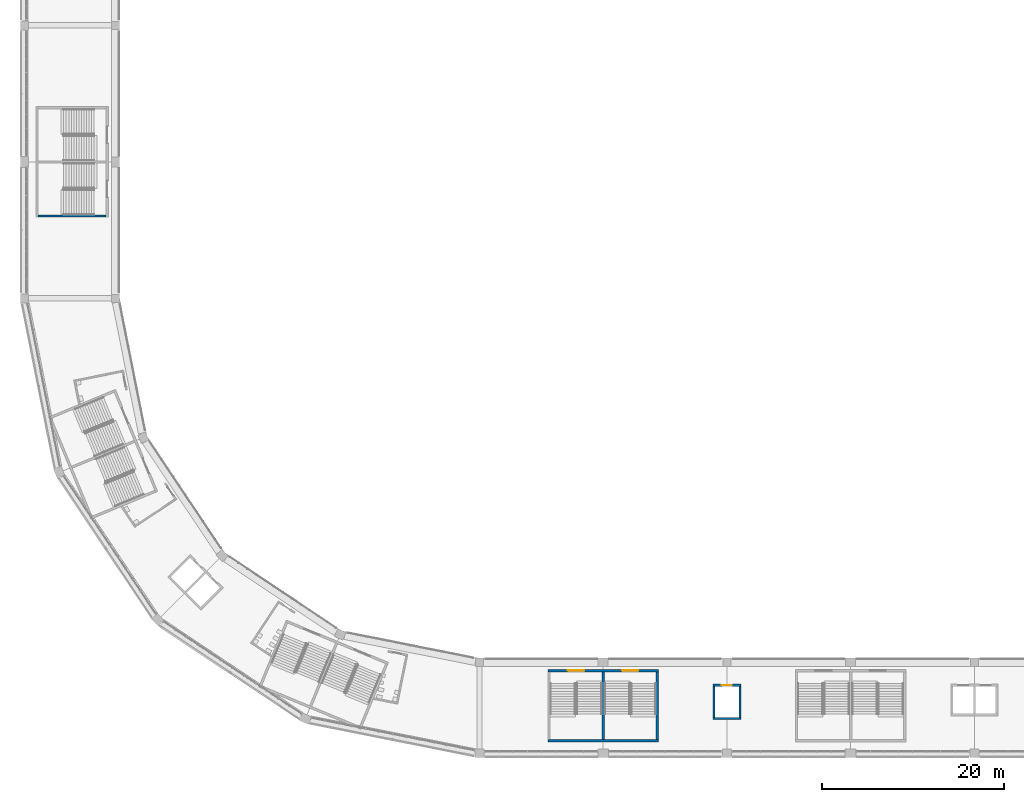
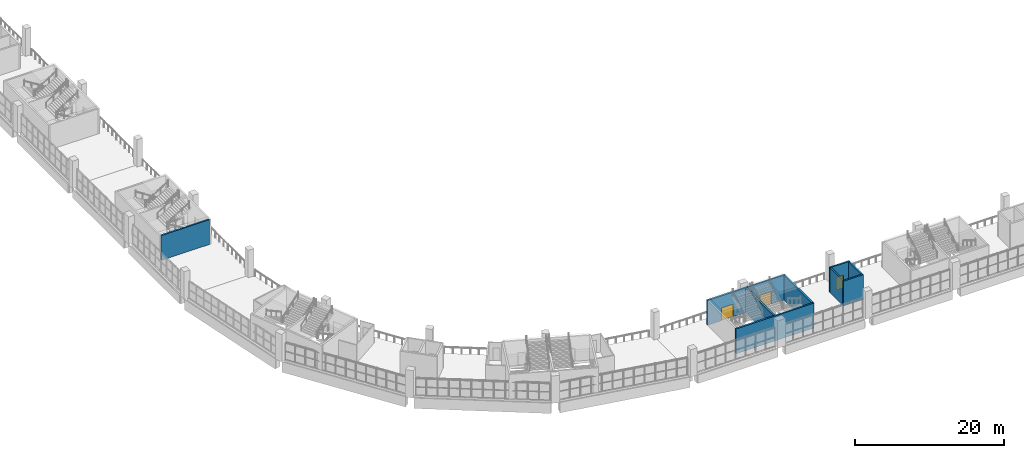
# One storey, part 61 of 177: 9 walls, 3 doors, 3 openings.
"""IFC4 building model written with IfcOpenShell, lengths in metres."""

from ifc_helpers import new_model, si_unit, direction, frame, frame_2d, origin, place, context, subcontext, project, spatial, rectangle, extrude, material, layer, layer_set, type_object, element, fill, save


model = new_model("IFC4")

# Units and contexts
model_context = context("Model", 3, precision=1e-05, world=origin(), true_north=direction((0.0, 1.0)))
body_context = subcontext(model_context, "Body", "Model", "MODEL_VIEW")
ifc_project = project(units=[si_unit("LENGTHUNIT", "METRE"), si_unit("AREAUNIT", "SQUARE_METRE"), si_unit("VOLUMEUNIT", "CUBIC_METRE"), si_unit("PLANEANGLEUNIT", "RADIAN"), si_unit("MASSUNIT", "GRAM", prefix="KILO")], contexts=[model_context])

# Site, building, storey
site_placement = place(None, origin())
site = spatial("IfcSite", under=ifc_project, at=site_placement, CompositionType="ELEMENT")
building_placement = place(site_placement, origin())
building = spatial("IfcBuilding", under=site, at=building_placement, Name="Ogive Plaza Stadium", CompositionType="ELEMENT")
storey_placement = place(building_placement, frame((0.0, 0.0, 18.0)))
storey = spatial("IfcBuildingStorey", under=building, at=storey_placement, Name="L04", CompositionType="ELEMENT", Elevation=18.0)

# Wall, openings, doors
ifc_material_1 = material(Name="Concrete C40/50", Category="concrete")
ifc_layer = layer(ifc_material_1, 0.25)
ifc_layer_set = layer_set([ifc_layer], Name="Concrete C40/50")
wall_type = type_object("IfcWallType", Name="Core wall 250", PredefinedType="SHEAR", material=ifc_layer_set)
wall_1_placement = place(storey_placement, frame((-26.47509765625, -93.425048828125, 0.0), z_axis=(0.0, 0.0, 1.0), x_axis=(1.0, 0.0, 0.0)))
wall_1 = element("IfcWall", 1, at=wall_1_placement, inside=storey, type_object=wall_type, Name="Stair core R16 inner wall", PredefinedType="SHEAR", context=body_context, shape_type="SweptSolid", body=[
    extrude(rectangle(XDim=12.150146484375, YDim=0.25, at=frame_2d((6.0751953125, 0.0))), origin(), (0.0, 0.0, 1.0), 4.090087890625),
])
opening_1_placement = place(wall_1_placement, frame((2.199951171875, 0.0, 0.0)))
opening_1 = element("IfcOpeningElement", 2, at=opening_1_placement, cuts=wall_1, Name="Opening D0141", PredefinedType="OPENING", context=body_context, shape_type="SweptSolid", body=[
    extrude(rectangle(XDim=1.800048828125, YDim=2.10009765625, at=frame_2d((0.89990234375, 1.050048828125))), frame((0.0, 0.125, 0.0), z_axis=(0.0, -1.0, 0.0), x_axis=(1.0, 0.0, 0.0)), (0.0, 0.0, 1.0), 0.25),
])
opening_2_placement = place(wall_1_placement, frame((8.14990234375, 0.0, 0.0)))
opening_2 = element("IfcOpeningElement", 3, at=opening_2_placement, cuts=wall_1, Name="Opening D0142", PredefinedType="OPENING", context=body_context, shape_type="SweptSolid", body=[
    extrude(rectangle(XDim=1.800048828125, YDim=2.10009765625, at=frame_2d((0.89990234375, 1.050048828125))), frame((0.0, 0.125, 0.0), z_axis=(0.0, -1.0, 0.0), x_axis=(1.0, 0.0, 0.0)), (0.0, 0.0, 1.0), 0.25),
])
ifc_material_2 = material(Name="Steel ASTM A572 Grade 50", Category="steel")
door_type_1 = type_object("IfcDoorType", Name="Fire door FD90 pair 1800 x 2100", OperationType="DOUBLE_DOOR_SINGLE_SWING", PredefinedType="DOOR", material=ifc_material_2)
door_1_placement = place(opening_1_placement, origin())
door_1 = element("IfcDoor", 4, at=door_1_placement, inside=storey, type_object=door_type_1, Name="Exit stair R16A door L04", OperationType="DOUBLE_DOOR_SINGLE_SWING", OverallHeight=2.10009765625, OverallWidth=1.800048828125, PredefinedType="DOOR", context=body_context, shape_type="SweptSolid", body=[
    extrude(rectangle(XDim=1.800048828125, YDim=2.10009765625, at=frame_2d((0.89990234375, 1.050048828125))), frame((0.0, 0.02490234375, 0.0), z_axis=(0.0, -1.0, 0.0), x_axis=(1.0, 0.0, 0.0)), (0.0, 0.0, 1.0), 0.050048828125),
])
fill(opening_1, door_1)
door_2_placement = place(opening_2_placement, origin())
door_2 = element("IfcDoor", 5, at=door_2_placement, inside=storey, type_object=door_type_1, Name="Exit stair R16B door L04", OperationType="DOUBLE_DOOR_SINGLE_SWING", OverallHeight=2.10009765625, OverallWidth=1.800048828125, PredefinedType="DOOR", context=body_context, shape_type="SweptSolid", body=[
    extrude(rectangle(XDim=1.800048828125, YDim=2.10009765625, at=frame_2d((0.89990234375, 1.050048828125))), frame((0.0, 0.02490234375, 0.0), z_axis=(0.0, -1.0, 0.0), x_axis=(1.0, 0.0, 0.0)), (0.0, 0.0, 1.0), 0.050048828125),
])
fill(opening_2, door_2)

# Walls
wall_2_placement = place(storey_placement, frame((-26.47509765625, -101.135009765625, 0.0), z_axis=(0.0, 0.0, 1.0), x_axis=(1.0, 0.0, 0.0)))
element("IfcWall", 6, at=wall_2_placement, inside=storey, type_object=wall_type, Name="Stair core R16 outer wall", PredefinedType="SHEAR", context=body_context, shape_type="SweptSolid", body=[
    extrude(rectangle(XDim=12.150146484375, YDim=0.25, at=frame_2d((6.0751953125, 0.0))), origin(), (0.0, 0.0, 1.0), 4.090087890625),
])
for number, where, z_axis, x_axis, name in (
    (7, (-14.449951171875, -93.550048828125, 0.0), (0.0, 0.0, 1.0), (0.0, -1.0, 0.0), "Stair core R16 side wall"),
    (8, (-20.39990234375, -93.550048828125, 0.0), (0.0, 0.0, 1.0), (0.0, -1.0, 0.0), "Stair core R16 centre wall"),
    (9, (-75.050048828125, -43.449951171875, 0.0), (0.0, 0.0, 1.0), (-1.0, 0.0, 0.0), "Stair core R22 side wall"),
):
    element("IfcWall", number, at=place(storey_placement, frame(where, z_axis=z_axis, x_axis=x_axis)), inside=storey, type_object=wall_type, Name=name, PredefinedType="SHEAR", context=body_context, shape_type="SweptSolid", body=[
        extrude(rectangle(XDim=7.4599609375, YDim=0.25, at=frame_2d((3.72998046875, 0.0))), origin(), (0.0, 0.0, 1.0), 4.090087890625),
    ])

# Wall, opening, door
wall_3_placement = place(storey_placement, frame((-8.35009765625, -95.02490234375, 0.0), z_axis=(0.0, 0.0, 1.0), x_axis=(1.0, 0.0, 0.0)))
wall_3 = element("IfcWall", 10, at=wall_3_placement, inside=storey, type_object=wall_type, Name="Lift core LS15 landing wall", PredefinedType="SHEAR", context=body_context, shape_type="SweptSolid", body=[
    extrude(rectangle(XDim=3.10009765625, YDim=0.25, at=frame_2d((1.550048828125, 0.0))), origin(), (0.0, 0.0, 1.0), 4.090087890625),
])
opening_3_placement = place(wall_3_placement, frame((1.0, 0.0, 0.0)))
opening_3 = element("IfcOpeningElement", 11, at=opening_3_placement, cuts=wall_3, Name="Opening LD040", PredefinedType="OPENING", context=body_context, shape_type="SweptSolid", body=[
    extrude(rectangle(XDim=1.10009765625, YDim=2.10009765625, at=frame_2d((0.550048828125, 1.050048828125))), frame((0.0, 0.125, 0.0), z_axis=(0.0, -1.0, 0.0), x_axis=(1.0, 0.0, 0.0)), (0.0, 0.0, 1.0), 0.25),
])
ifc_material_3 = material(Name="Steel ASTM A572 Grade 50", Category="steel")
door_type_2 = type_object("IfcDoorType", Name="Landing door 1100 x 2100", OperationType="SLIDING_TO_LEFT", PredefinedType="DOOR", material=ifc_material_3)
door_3_placement = place(opening_3_placement, origin())
door_3 = element("IfcDoor", 12, at=door_3_placement, inside=storey, type_object=door_type_2, Name="Lift landing door LS15 L04", OperationType="SLIDING_TO_LEFT", OverallHeight=2.10009765625, OverallWidth=1.10009765625, PredefinedType="DOOR", context=body_context, shape_type="SweptSolid", body=[
    extrude(rectangle(XDim=1.10009765625, YDim=2.10009765625, at=frame_2d((0.550048828125, 1.050048828125))), frame((0.0, 0.02490234375, 0.0), z_axis=(0.0, -1.0, 0.0), x_axis=(1.0, 0.0, 0.0)), (0.0, 0.0, 1.0), 0.050048828125),
])
fill(opening_3, door_3)

# Walls
wall_4_placement = place(storey_placement, frame((-8.35009765625, -98.675048828125, 0.0), z_axis=(0.0, 0.0, 1.0), x_axis=(1.0, 0.0, 0.0)))
element("IfcWall", 13, at=wall_4_placement, inside=storey, type_object=wall_type, Name="Lift core LS15 rear wall", PredefinedType="SHEAR", context=body_context, shape_type="SweptSolid", body=[
    extrude(rectangle(XDim=3.10009765625, YDim=0.25, at=frame_2d((1.550048828125, 0.0))), origin(), (0.0, 0.0, 1.0), 4.090087890625),
])
for number, where, z_axis, x_axis, name in (
    (14, (-8.22509765625, -95.14990234375, 0.0), (0.0, 0.0, 1.0), (0.0, -1.0, 0.0), "Lift core LS15 side wall"),
    (15, (-5.375, -95.14990234375, 0.0), (0.0, 0.0, 1.0), (0.0, -1.0, 0.0), "Lift core LS15 side wall"),
):
    element("IfcWall", number, at=place(storey_placement, frame(where, z_axis=z_axis, x_axis=x_axis)), inside=storey, type_object=wall_type, Name=name, PredefinedType="SHEAR", context=body_context, shape_type="SweptSolid", body=[
        extrude(rectangle(XDim=3.400146484375, YDim=0.25, at=frame_2d((1.7001953125, 0.0))), origin(), (0.0, 0.0, 1.0), 4.090087890625),
    ])

save(model, "model.ifc")
